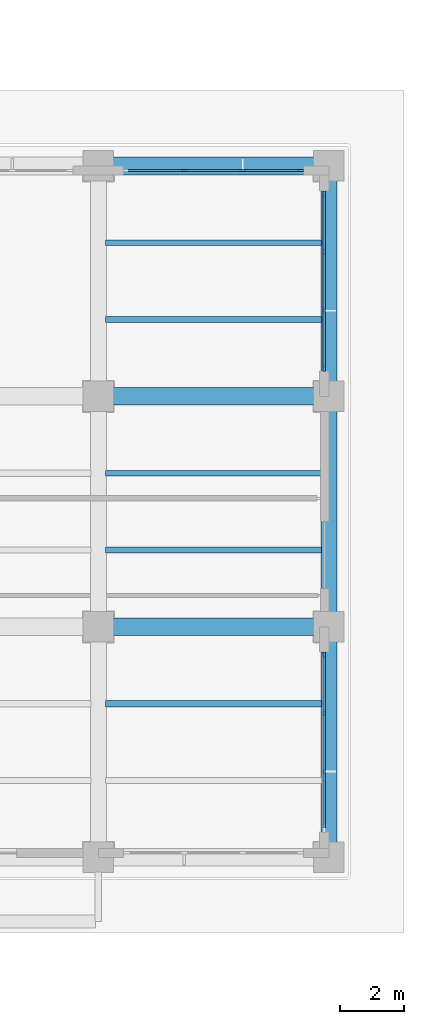
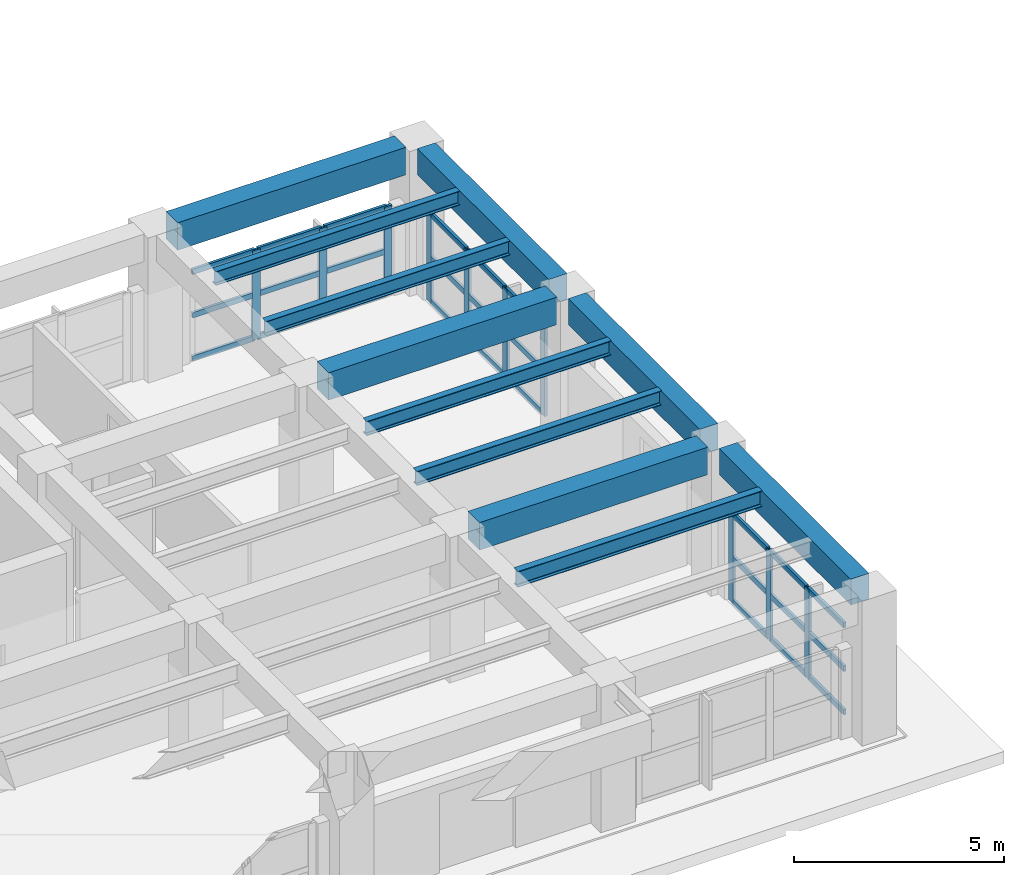
# One storey, part 28 of 64: 37 members, 11 beams, 3 elements without a shape of their own.
"""IFC4 building model written with IfcOpenShell, lengths in metres."""

from ifc_helpers import new_model, si_unit, direction, frame, origin, origin_2d, place, context, subcontext, project, spatial, rectangle, i_section, extrude, material, layer, layer_set, material_profile, profile_set, type_object, element, aggregate, save


model = new_model("IFC4")

# Units and contexts
model_context = context("Model", 3, precision=1e-05, world=origin(), true_north=direction((0.0, 1.0)))
body_context = subcontext(model_context, "Body", "Model", "MODEL_VIEW")
ifc_project = project(units=[si_unit("LENGTHUNIT", "METRE"), si_unit("AREAUNIT", "SQUARE_METRE"), si_unit("VOLUMEUNIT", "CUBIC_METRE"), si_unit("PLANEANGLEUNIT", "RADIAN"), si_unit("MASSUNIT", "GRAM", prefix="KILO")], contexts=[model_context])

# Site, building, storey
site_placement = place(None, origin())
site = spatial("IfcSite", under=ifc_project, at=site_placement, CompositionType="ELEMENT")
building_placement = place(site_placement, origin())
building = spatial("IfcBuilding", under=site, at=building_placement, Name="Solenvale Faculty of Natural Sciences", CompositionType="ELEMENT")
storey_placement = place(building_placement, origin())
storey = spatial("IfcBuildingStorey", under=building, at=storey_placement, Name="L00", CompositionType="ELEMENT", Elevation=0.0)

# Beams
ifc_material_1 = material(Name="Concrete 40 MPa", Category="concrete")
ifc_material_profile_1 = material_profile(ifc_material_1, rectangle(XDim=0.5, YDim=0.75, at=origin_2d()), Name="RC-BM-500x750")
ifc_profile_set_1 = profile_set([ifc_material_profile_1], Name="Concrete 40 MPa")
beam_type_1 = type_object("IfcBeamType", Name="BM-RC-500x750", PredefinedType="BEAM", material=ifc_profile_set_1)
for number, where, z_axis, x_axis, name in (
    (1, (165.60009765625, 36.455078125, 3.844970703125), (0.0, 1.0, 0.0), (-1.0, 0.0, 0.0), "L00 Y-Girder X165.6 (36.0..43.2)"),
    (2, (165.60009765625, 43.655029296875, 3.844970703125), (0.0, 1.0, 0.0), (-1.0, 0.0, 0.0), "L00 Y-Girder X165.6 (43.2..50.4)"),
    (3, (165.60009765625, 50.85498046875, 3.844970703125), (0.0, 1.0, 0.0), (-1.0, 0.0, 0.0), "L00 Y-Girder X165.6 (50.4..57.6)"),
):
    element("IfcBeam", number, at=place(storey_placement, frame(where, z_axis=z_axis, x_axis=x_axis)), inside=storey, type_object=beam_type_1, Name=name, PredefinedType="BEAM", context=body_context, shape_type="SweptSolid", body=[
        extrude(rectangle(XDim=0.5, YDim=0.75, at=origin_2d()), origin(), (0.0, 0.0, 1.0), 6.2900390625),
    ])
ifc_material_profile_2 = material_profile(ifc_material_1, rectangle(XDim=0.550048828125, YDim=0.800048828125, at=origin_2d()), Name="RC-BM-550x800")
ifc_profile_set_2 = profile_set([ifc_material_profile_2], Name="Concrete 40 MPa")
beam_type_2 = type_object("IfcBeamType", Name="BM-RC-550x800", PredefinedType="BEAM", material=ifc_profile_set_2)
for number, where, z_axis, x_axis, name in (
    (4, (158.85498046875, 43.199951171875, 3.820068359375), (1.0, 0.0, 0.0), (0.0, 1.0, 0.0), "L00 X-Girder Y43.2 (158.4..165.6)"),
    (5, (158.85498046875, 50.39990234375, 3.820068359375), (1.0, 0.0, 0.0), (0.0, 1.0, 0.0), "L00 X-Girder Y50.4 (158.4..165.6)"),
    (6, (158.85498046875, 57.60009765625, 3.820068359375), (1.0, 0.0, 0.0), (0.0, 1.0, 0.0), "L00 X-Girder Y57.6 (158.4..165.6)"),
):
    element("IfcBeam", number, at=place(storey_placement, frame(where, z_axis=z_axis, x_axis=x_axis)), inside=storey, type_object=beam_type_2, Name=name, PredefinedType="BEAM", context=body_context, shape_type="SweptSolid", body=[
        extrude(rectangle(XDim=0.550048828125, YDim=0.800048828125, at=origin_2d()), origin(), (0.0, 0.0, 1.0), 6.2900390625),
    ])
ifc_material_2 = material(Name="Steel S355", Category="steel")
ifc_material_profile_3 = material_profile(ifc_material_2, i_section(OverallWidth=0.178955078125, OverallDepth=0.409912109375, WebThickness=0.0087890625, FlangeThickness=0.014404296875, FilletRadius=0.01611328125, at=origin_2d()), Name="W410x67")
ifc_profile_set_3 = profile_set([ifc_material_profile_3], Name="Steel S355")
beam_type_3 = type_object("IfcBeamType", Name="BM-STL-W410x67", PredefinedType="JOIST", material=ifc_profile_set_3)
for number, where, z_axis, x_axis, name in (
    (7, (158.6298828125, 52.800048828125, 4.014892578125), (1.0, 0.0, 0.0), (0.0, 1.0, 0.0), "L00 Composite Floor Joist (23,8).1"),
    (8, (158.6298828125, 55.199951171875, 4.014892578125), (1.0, 0.0, 0.0), (0.0, 1.0, 0.0), "L00 Composite Floor Joist (23,8).2"),
):
    element("IfcBeam", number, at=place(storey_placement, frame(where, z_axis=z_axis, x_axis=x_axis)), inside=storey, type_object=beam_type_3, Name=name, PredefinedType="JOIST", context=body_context, shape_type="SweptSolid", body=[
        extrude(i_section(OverallWidth=0.178955078125, OverallDepth=0.409912109375, WebThickness=0.0087890625, FlangeThickness=0.014404296875, FilletRadius=0.01611328125, at=origin_2d()), origin(), (0.0, 0.0, 1.0), 6.740234375),
    ])
ifc_material_profile_4 = material_profile(ifc_material_2, i_section(OverallWidth=0.180908203125, OverallDepth=0.4169921875, WebThickness=0.010986328125, FlangeThickness=0.018310546875, FilletRadius=0.01611328125, at=origin_2d()), Name="W410x85")
ifc_profile_set_4 = profile_set([ifc_material_profile_4], Name="Steel S355")
beam_type_4 = type_object("IfcBeamType", Name="BM-STL-W410x85", PredefinedType="JOIST", material=ifc_profile_set_4)
for number, where, z_axis, x_axis, name in (
    (9, (158.6298828125, 45.60009765625, 4.011474609375), (1.0, 0.0, 0.0), (0.0, 1.0, 0.0), "L00 Composite Floor Joist (23,7).1"),
    (10, (158.6298828125, 48.0, 4.011474609375), (1.0, 0.0, 0.0), (0.0, 1.0, 0.0), "L00 Composite Floor Joist (23,7).2"),
):
    element("IfcBeam", number, at=place(storey_placement, frame(where, z_axis=z_axis, x_axis=x_axis)), inside=storey, type_object=beam_type_4, Name=name, PredefinedType="JOIST", context=body_context, shape_type="SweptSolid", body=[
        extrude(i_section(OverallWidth=0.180908203125, OverallDepth=0.4169921875, WebThickness=0.010986328125, FlangeThickness=0.018310546875, FilletRadius=0.01611328125, at=origin_2d()), origin(), (0.0, 0.0, 1.0), 6.740234375),
    ])
ifc_material_profile_5 = material_profile(ifc_material_2, i_section(OverallWidth=0.19091796875, OverallDepth=0.4599609375, WebThickness=0.010009765625, FlangeThickness=0.01611328125, FilletRadius=0.01806640625, at=origin_2d()), Name="W460x82")
ifc_profile_set_5 = profile_set([ifc_material_profile_5], Name="Steel S355")
beam_type_5 = type_object("IfcBeamType", Name="BM-STL-W460x82", PredefinedType="JOIST", material=ifc_profile_set_5)
beam_placement = place(storey_placement, frame((158.6298828125, 40.800048828125, 3.989990234375), z_axis=(1.0, 0.0, 0.0), x_axis=(0.0, 1.0, 0.0)))
element("IfcBeam", 11, at=beam_placement, inside=storey, type_object=beam_type_5, Name="L00 Composite Floor Joist (23,6).2", PredefinedType="JOIST", context=body_context, shape_type="SweptSolid", body=[
    extrude(i_section(OverallWidth=0.19091796875, OverallDepth=0.4599609375, WebThickness=0.010009765625, FlangeThickness=0.01611328125, FilletRadius=0.01806640625, at=origin_2d()), origin(), (0.0, 0.0, 1.0), 6.740234375),
])

# Curtain wall, members
ifc_material_3 = material(Name="Anodised bronze aluminium", Category="aluminium")
ifc_layer = layer(ifc_material_3, 0.199951171875)
ifc_layer_set = layer_set([ifc_layer], Name="Anodised bronze aluminium")
curtain_wall_type = type_object("IfcCurtainWallType", Name="CW-COM-FIN", PredefinedType="USERDEFINED", material=ifc_layer_set)
curtain_wall_1_placement = place(storey_placement, origin())
curtain_wall_1 = element("IfcCurtainWall", 12, at=curtain_wall_1_placement, inside=storey, type_object=curtain_wall_type, Name="L00 Curtain Wall CW-L00-P1-E6-B1", ObjectType="UNITISED CURTAIN WALL", PredefinedType="USERDEFINED")
ifc_material_profile_6 = material_profile(ifc_material_3, rectangle(XDim=0.074951171875, YDim=0.2099609375, at=origin_2d()), Name="ALU-MUL-75x210")
ifc_profile_set_6 = profile_set([ifc_material_profile_6], Name="Anodised bronze aluminium")
member_type_1 = type_object("IfcMemberType", Name="CWM-ALU-75x210", PredefinedType="MULLION", material=ifc_profile_set_6)
member_1_placement = place(storey_placement, frame((165.45751953125, 38.683349609375, 0.0), z_axis=(0.0, 0.0, 1.0), x_axis=(-1.0, 0.0, 0.0)))
member_1 = element("IfcMember", 13, at=member_1_placement, type_object=member_type_1, Name="CW-03 mullion 2", PredefinedType="MULLION", context=body_context, shape_type="SweptSolid", body=[
    extrude(rectangle(XDim=0.074951171875, YDim=0.2099609375, at=origin_2d()), origin(), (0.0, 0.0, 1.0), 2.60009765625),
])
member_2_placement = place(storey_placement, frame((165.45751953125, 40.5166015625, 0.0), z_axis=(0.0, 0.0, 1.0), x_axis=(-1.0, 0.0, 0.0)))
member_2 = element("IfcMember", 14, at=member_2_placement, type_object=member_type_1, Name="CW-03 mullion 3", PredefinedType="MULLION", context=body_context, shape_type="SweptSolid", body=[
    extrude(rectangle(XDim=0.074951171875, YDim=0.2099609375, at=origin_2d()), origin(), (0.0, 0.0, 1.0), 2.60009765625),
])
member_3_placement = place(storey_placement, frame((165.45751953125, 42.3125, 0.0), z_axis=(0.0, 0.0, 1.0), x_axis=(-1.0, 0.0, 0.0)))
member_3 = element("IfcMember", 15, at=member_3_placement, type_object=member_type_1, Name="CW-03 mullion 4", PredefinedType="MULLION", context=body_context, shape_type="SweptSolid", body=[
    extrude(rectangle(XDim=0.074951171875, YDim=0.2099609375, at=origin_2d()), origin(), (0.0, 0.0, 1.0), 2.60009765625),
])

curtain_wall_2_placement = place(storey_placement, origin())
curtain_wall_2 = element("IfcCurtainWall", 16, at=curtain_wall_2_placement, inside=storey, type_object=curtain_wall_type, Name="L00 Curtain Wall CW-L00-P1-E6-B3", ObjectType="UNITISED CURTAIN WALL", PredefinedType="USERDEFINED")
member_4_placement = place(storey_placement, frame((165.45751953125, 51.28759765625, 0.0), z_axis=(0.0, 0.0, 1.0), x_axis=(-1.0, 0.0, 0.0)))
member_4 = element("IfcMember", 17, at=member_4_placement, type_object=member_type_1, Name="CW-03 mullion 1", PredefinedType="MULLION", context=body_context, shape_type="SweptSolid", body=[
    extrude(rectangle(XDim=0.074951171875, YDim=0.2099609375, at=origin_2d()), origin(), (0.0, 0.0, 1.0), 2.60009765625),
])
member_5_placement = place(storey_placement, frame((165.45751953125, 53.083251953125, 0.0), z_axis=(0.0, 0.0, 1.0), x_axis=(-1.0, 0.0, 0.0)))
member_5 = element("IfcMember", 18, at=member_5_placement, type_object=member_type_1, Name="CW-03 mullion 2", PredefinedType="MULLION", context=body_context, shape_type="SweptSolid", body=[
    extrude(rectangle(XDim=0.074951171875, YDim=0.2099609375, at=origin_2d()), origin(), (0.0, 0.0, 1.0), 2.60009765625),
])
member_6_placement = place(storey_placement, frame((165.45751953125, 54.916748046875, 0.0), z_axis=(0.0, 0.0, 1.0), x_axis=(-1.0, 0.0, 0.0)))
member_6 = element("IfcMember", 19, at=member_6_placement, type_object=member_type_1, Name="CW-03 mullion 3", PredefinedType="MULLION", context=body_context, shape_type="SweptSolid", body=[
    extrude(rectangle(XDim=0.074951171875, YDim=0.2099609375, at=origin_2d()), origin(), (0.0, 0.0, 1.0), 2.60009765625),
])
member_7_placement = place(storey_placement, frame((165.45751953125, 56.71240234375, 0.0), z_axis=(0.0, 0.0, 1.0), x_axis=(-1.0, 0.0, 0.0)))
member_7 = element("IfcMember", 20, at=member_7_placement, type_object=member_type_1, Name="CW-03 mullion 4", PredefinedType="MULLION", context=body_context, shape_type="SweptSolid", body=[
    extrude(rectangle(XDim=0.074951171875, YDim=0.2099609375, at=origin_2d()), origin(), (0.0, 0.0, 1.0), 2.60009765625),
])

curtain_wall_3_placement = place(storey_placement, origin())
curtain_wall_3 = element("IfcCurtainWall", 21, at=curtain_wall_3_placement, inside=storey, type_object=curtain_wall_type, Name="L00 Curtain Wall CW-L00-P1-E7-B1", ObjectType="UNITISED CURTAIN WALL", PredefinedType="USERDEFINED")
member_8_placement = place(storey_placement, frame((164.71240234375, 57.45751953125, 0.0), z_axis=(0.0, 0.0, 1.0), x_axis=(0.0, -1.0, 0.0)))
member_8 = element("IfcMember", 22, at=member_8_placement, type_object=member_type_1, Name="CW-03 mullion 1", PredefinedType="MULLION", context=body_context, shape_type="SweptSolid", body=[
    extrude(rectangle(XDim=0.074951171875, YDim=0.2099609375, at=origin_2d()), origin(), (0.0, 0.0, 1.0), 2.60009765625),
])
member_9_placement = place(storey_placement, frame((162.916748046875, 57.45751953125, 0.0), z_axis=(0.0, 0.0, 1.0), x_axis=(0.0, -1.0, 0.0)))
member_9 = element("IfcMember", 23, at=member_9_placement, type_object=member_type_1, Name="CW-03 mullion 2", PredefinedType="MULLION", context=body_context, shape_type="SweptSolid", body=[
    extrude(rectangle(XDim=0.074951171875, YDim=0.2099609375, at=origin_2d()), origin(), (0.0, 0.0, 1.0), 2.60009765625),
])
member_10_placement = place(storey_placement, frame((161.083251953125, 57.45751953125, 0.0), z_axis=(0.0, 0.0, 1.0), x_axis=(0.0, -1.0, 0.0)))
member_10 = element("IfcMember", 24, at=member_10_placement, type_object=member_type_1, Name="CW-03 mullion 3", PredefinedType="MULLION", context=body_context, shape_type="SweptSolid", body=[
    extrude(rectangle(XDim=0.074951171875, YDim=0.2099609375, at=origin_2d()), origin(), (0.0, 0.0, 1.0), 2.60009765625),
])

# Member
ifc_material_profile_7 = material_profile(ifc_material_3, rectangle(XDim=0.074951171875, YDim=0.155029296875, at=origin_2d()), Name="ALU-TRN-75x155")
ifc_profile_set_7 = profile_set([ifc_material_profile_7], Name="Anodised bronze aluminium")
member_type_2 = type_object("IfcMemberType", Name="CWT-ALU-75x155", PredefinedType="USERDEFINED", material=ifc_profile_set_7)
member_11_placement = place(storey_placement, frame((165.45751953125, 36.925048828125, 0.03759765625), z_axis=(0.0, 1.0, 0.0), x_axis=(-1.0, 0.0, 0.0)))
member_11 = element("IfcMember", 25, at=member_11_placement, type_object=member_type_2, Name="CW-03 transom 1.1", ObjectType="TRANSOM", PredefinedType="USERDEFINED", context=body_context, shape_type="SweptSolid", body=[
    extrude(rectangle(XDim=0.074951171875, YDim=0.155029296875, at=origin_2d()), origin(), (0.0, 0.0, 1.0), 1.720703125),
])

member_12_placement = place(storey_placement, frame((165.45751953125, 36.925048828125, 1.300048828125), z_axis=(0.0, 1.0, 0.0), x_axis=(-1.0, 0.0, 0.0)))
member_12 = element("IfcMember", 26, at=member_12_placement, type_object=member_type_2, Name="CW-03 transom 1.2", ObjectType="TRANSOM", PredefinedType="USERDEFINED", context=body_context, shape_type="SweptSolid", body=[
    extrude(rectangle(XDim=0.074951171875, YDim=0.155029296875, at=origin_2d()), origin(), (0.0, 0.0, 1.0), 1.720703125),
])

member_13_placement = place(storey_placement, frame((165.45751953125, 36.925048828125, 2.5625), z_axis=(0.0, 1.0, 0.0), x_axis=(-1.0, 0.0, 0.0)))
member_13 = element("IfcMember", 27, at=member_13_placement, type_object=member_type_2, Name="CW-03 transom 1.3", ObjectType="TRANSOM", PredefinedType="USERDEFINED", context=body_context, shape_type="SweptSolid", body=[
    extrude(rectangle(XDim=0.074951171875, YDim=0.155029296875, at=origin_2d()), origin(), (0.0, 0.0, 1.0), 1.720703125),
])

member_14_placement = place(storey_placement, frame((165.45751953125, 38.720947265625, 0.03759765625), z_axis=(0.0, 1.0, 0.0), x_axis=(-1.0, 0.0, 0.0)))
member_14 = element("IfcMember", 28, at=member_14_placement, type_object=member_type_2, Name="CW-03 transom 2.1", ObjectType="TRANSOM", PredefinedType="USERDEFINED", context=body_context, shape_type="SweptSolid", body=[
    extrude(rectangle(XDim=0.074951171875, YDim=0.155029296875, at=origin_2d()), origin(), (0.0, 0.0, 1.0), 1.75830078125),
])

member_15_placement = place(storey_placement, frame((165.45751953125, 38.720947265625, 1.300048828125), z_axis=(0.0, 1.0, 0.0), x_axis=(-1.0, 0.0, 0.0)))
member_15 = element("IfcMember", 29, at=member_15_placement, type_object=member_type_2, Name="CW-03 transom 2.2", ObjectType="TRANSOM", PredefinedType="USERDEFINED", context=body_context, shape_type="SweptSolid", body=[
    extrude(rectangle(XDim=0.074951171875, YDim=0.155029296875, at=origin_2d()), origin(), (0.0, 0.0, 1.0), 1.75830078125),
])

member_16_placement = place(storey_placement, frame((165.45751953125, 38.720947265625, 2.5625), z_axis=(0.0, 1.0, 0.0), x_axis=(-1.0, 0.0, 0.0)))
member_16 = element("IfcMember", 30, at=member_16_placement, type_object=member_type_2, Name="CW-03 transom 2.3", ObjectType="TRANSOM", PredefinedType="USERDEFINED", context=body_context, shape_type="SweptSolid", body=[
    extrude(rectangle(XDim=0.074951171875, YDim=0.155029296875, at=origin_2d()), origin(), (0.0, 0.0, 1.0), 1.75830078125),
])

member_17_placement = place(storey_placement, frame((165.45751953125, 40.55419921875, 0.03759765625), z_axis=(0.0, 1.0, 0.0), x_axis=(-1.0, 0.0, 0.0)))
member_17 = element("IfcMember", 31, at=member_17_placement, type_object=member_type_2, Name="CW-03 transom 3.1", ObjectType="TRANSOM", PredefinedType="USERDEFINED", context=body_context, shape_type="SweptSolid", body=[
    extrude(rectangle(XDim=0.074951171875, YDim=0.155029296875, at=origin_2d()), origin(), (0.0, 0.0, 1.0), 1.720703125),
])

member_18_placement = place(storey_placement, frame((165.45751953125, 40.55419921875, 1.300048828125), z_axis=(0.0, 1.0, 0.0), x_axis=(-1.0, 0.0, 0.0)))
member_18 = element("IfcMember", 32, at=member_18_placement, type_object=member_type_2, Name="CW-03 transom 3.2", ObjectType="TRANSOM", PredefinedType="USERDEFINED", context=body_context, shape_type="SweptSolid", body=[
    extrude(rectangle(XDim=0.074951171875, YDim=0.155029296875, at=origin_2d()), origin(), (0.0, 0.0, 1.0), 1.720703125),
])

member_19_placement = place(storey_placement, frame((165.45751953125, 40.55419921875, 2.5625), z_axis=(0.0, 1.0, 0.0), x_axis=(-1.0, 0.0, 0.0)))
member_19 = element("IfcMember", 33, at=member_19_placement, type_object=member_type_2, Name="CW-03 transom 3.3", ObjectType="TRANSOM", PredefinedType="USERDEFINED", context=body_context, shape_type="SweptSolid", body=[
    extrude(rectangle(XDim=0.074951171875, YDim=0.155029296875, at=origin_2d()), origin(), (0.0, 0.0, 1.0), 1.720703125),
])

aggregate(curtain_wall_1, [member_1, member_2, member_3, member_11, member_12, member_13, member_14, member_15, member_16, member_17, member_18, member_19])

member_20_placement = place(storey_placement, frame((165.45751953125, 51.324951171875, 0.03759765625), z_axis=(0.0, 1.0, 0.0), x_axis=(-1.0, 0.0, 0.0)))
member_20 = element("IfcMember", 34, at=member_20_placement, type_object=member_type_2, Name="CW-03 transom 1.1", ObjectType="TRANSOM", PredefinedType="USERDEFINED", context=body_context, shape_type="SweptSolid", body=[
    extrude(rectangle(XDim=0.074951171875, YDim=0.155029296875, at=origin_2d()), origin(), (0.0, 0.0, 1.0), 1.720947265625),
])

member_21_placement = place(storey_placement, frame((165.45751953125, 51.324951171875, 1.300048828125), z_axis=(0.0, 1.0, 0.0), x_axis=(-1.0, 0.0, 0.0)))
member_21 = element("IfcMember", 35, at=member_21_placement, type_object=member_type_2, Name="CW-03 transom 1.2", ObjectType="TRANSOM", PredefinedType="USERDEFINED", context=body_context, shape_type="SweptSolid", body=[
    extrude(rectangle(XDim=0.074951171875, YDim=0.155029296875, at=origin_2d()), origin(), (0.0, 0.0, 1.0), 1.720947265625),
])

member_22_placement = place(storey_placement, frame((165.45751953125, 51.324951171875, 2.5625), z_axis=(0.0, 1.0, 0.0), x_axis=(-1.0, 0.0, 0.0)))
member_22 = element("IfcMember", 36, at=member_22_placement, type_object=member_type_2, Name="CW-03 transom 1.3", ObjectType="TRANSOM", PredefinedType="USERDEFINED", context=body_context, shape_type="SweptSolid", body=[
    extrude(rectangle(XDim=0.074951171875, YDim=0.155029296875, at=origin_2d()), origin(), (0.0, 0.0, 1.0), 1.720947265625),
])

member_23_placement = place(storey_placement, frame((165.45751953125, 53.120849609375, 0.03759765625), z_axis=(0.0, 1.0, 0.0), x_axis=(-1.0, 0.0, 0.0)))
member_23 = element("IfcMember", 37, at=member_23_placement, type_object=member_type_2, Name="CW-03 transom 2.1", ObjectType="TRANSOM", PredefinedType="USERDEFINED", context=body_context, shape_type="SweptSolid", body=[
    extrude(rectangle(XDim=0.074951171875, YDim=0.155029296875, at=origin_2d()), origin(), (0.0, 0.0, 1.0), 1.75830078125),
])

member_24_placement = place(storey_placement, frame((165.45751953125, 53.120849609375, 1.300048828125), z_axis=(0.0, 1.0, 0.0), x_axis=(-1.0, 0.0, 0.0)))
member_24 = element("IfcMember", 38, at=member_24_placement, type_object=member_type_2, Name="CW-03 transom 2.2", ObjectType="TRANSOM", PredefinedType="USERDEFINED", context=body_context, shape_type="SweptSolid", body=[
    extrude(rectangle(XDim=0.074951171875, YDim=0.155029296875, at=origin_2d()), origin(), (0.0, 0.0, 1.0), 1.75830078125),
])

member_25_placement = place(storey_placement, frame((165.45751953125, 53.120849609375, 2.5625), z_axis=(0.0, 1.0, 0.0), x_axis=(-1.0, 0.0, 0.0)))
member_25 = element("IfcMember", 39, at=member_25_placement, type_object=member_type_2, Name="CW-03 transom 2.3", ObjectType="TRANSOM", PredefinedType="USERDEFINED", context=body_context, shape_type="SweptSolid", body=[
    extrude(rectangle(XDim=0.074951171875, YDim=0.155029296875, at=origin_2d()), origin(), (0.0, 0.0, 1.0), 1.75830078125),
])

member_26_placement = place(storey_placement, frame((165.45751953125, 54.9541015625, 0.03759765625), z_axis=(0.0, 1.0, 0.0), x_axis=(-1.0, 0.0, 0.0)))
member_26 = element("IfcMember", 40, at=member_26_placement, type_object=member_type_2, Name="CW-03 transom 3.1", ObjectType="TRANSOM", PredefinedType="USERDEFINED", context=body_context, shape_type="SweptSolid", body=[
    extrude(rectangle(XDim=0.074951171875, YDim=0.155029296875, at=origin_2d()), origin(), (0.0, 0.0, 1.0), 1.720947265625),
])

member_27_placement = place(storey_placement, frame((165.45751953125, 54.9541015625, 1.300048828125), z_axis=(0.0, 1.0, 0.0), x_axis=(-1.0, 0.0, 0.0)))
member_27 = element("IfcMember", 41, at=member_27_placement, type_object=member_type_2, Name="CW-03 transom 3.2", ObjectType="TRANSOM", PredefinedType="USERDEFINED", context=body_context, shape_type="SweptSolid", body=[
    extrude(rectangle(XDim=0.074951171875, YDim=0.155029296875, at=origin_2d()), origin(), (0.0, 0.0, 1.0), 1.720947265625),
])

member_28_placement = place(storey_placement, frame((165.45751953125, 54.9541015625, 2.5625), z_axis=(0.0, 1.0, 0.0), x_axis=(-1.0, 0.0, 0.0)))
member_28 = element("IfcMember", 42, at=member_28_placement, type_object=member_type_2, Name="CW-03 transom 3.3", ObjectType="TRANSOM", PredefinedType="USERDEFINED", context=body_context, shape_type="SweptSolid", body=[
    extrude(rectangle(XDim=0.074951171875, YDim=0.155029296875, at=origin_2d()), origin(), (0.0, 0.0, 1.0), 1.720947265625),
])

aggregate(curtain_wall_2, [member_4, member_5, member_6, member_7, member_20, member_21, member_22, member_23, member_24, member_25, member_26, member_27, member_28])

member_29_placement = place(storey_placement, frame((164.675048828125, 57.45751953125, 0.03759765625), z_axis=(-1.0, 0.0, 0.0), x_axis=(0.0, -1.0, 0.0)))
member_29 = element("IfcMember", 43, at=member_29_placement, type_object=member_type_2, Name="CW-03 transom 1.1", ObjectType="TRANSOM", PredefinedType="USERDEFINED", context=body_context, shape_type="SweptSolid", body=[
    extrude(rectangle(XDim=0.074951171875, YDim=0.155029296875, at=origin_2d()), origin(), (0.0, 0.0, 1.0), 1.720947265625),
])

member_30_placement = place(storey_placement, frame((164.675048828125, 57.45751953125, 1.300048828125), z_axis=(-1.0, 0.0, 0.0), x_axis=(0.0, -1.0, 0.0)))
member_30 = element("IfcMember", 44, at=member_30_placement, type_object=member_type_2, Name="CW-03 transom 1.2", ObjectType="TRANSOM", PredefinedType="USERDEFINED", context=body_context, shape_type="SweptSolid", body=[
    extrude(rectangle(XDim=0.074951171875, YDim=0.155029296875, at=origin_2d()), origin(), (0.0, 0.0, 1.0), 1.720947265625),
])

member_31_placement = place(storey_placement, frame((164.675048828125, 57.45751953125, 2.5625), z_axis=(-1.0, 0.0, 0.0), x_axis=(0.0, -1.0, 0.0)))
member_31 = element("IfcMember", 45, at=member_31_placement, type_object=member_type_2, Name="CW-03 transom 1.3", ObjectType="TRANSOM", PredefinedType="USERDEFINED", context=body_context, shape_type="SweptSolid", body=[
    extrude(rectangle(XDim=0.074951171875, YDim=0.155029296875, at=origin_2d()), origin(), (0.0, 0.0, 1.0), 1.720947265625),
])

member_32_placement = place(storey_placement, frame((162.879150390625, 57.45751953125, 0.03759765625), z_axis=(-1.0, 0.0, 0.0), x_axis=(0.0, -1.0, 0.0)))
member_32 = element("IfcMember", 46, at=member_32_placement, type_object=member_type_2, Name="CW-03 transom 2.1", ObjectType="TRANSOM", PredefinedType="USERDEFINED", context=body_context, shape_type="SweptSolid", body=[
    extrude(rectangle(XDim=0.074951171875, YDim=0.155029296875, at=origin_2d()), origin(), (0.0, 0.0, 1.0), 1.75830078125),
])

member_33_placement = place(storey_placement, frame((162.879150390625, 57.45751953125, 1.300048828125), z_axis=(-1.0, 0.0, 0.0), x_axis=(0.0, -1.0, 0.0)))
member_33 = element("IfcMember", 47, at=member_33_placement, type_object=member_type_2, Name="CW-03 transom 2.2", ObjectType="TRANSOM", PredefinedType="USERDEFINED", context=body_context, shape_type="SweptSolid", body=[
    extrude(rectangle(XDim=0.074951171875, YDim=0.155029296875, at=origin_2d()), origin(), (0.0, 0.0, 1.0), 1.75830078125),
])

member_34_placement = place(storey_placement, frame((162.879150390625, 57.45751953125, 2.5625), z_axis=(-1.0, 0.0, 0.0), x_axis=(0.0, -1.0, 0.0)))
member_34 = element("IfcMember", 48, at=member_34_placement, type_object=member_type_2, Name="CW-03 transom 2.3", ObjectType="TRANSOM", PredefinedType="USERDEFINED", context=body_context, shape_type="SweptSolid", body=[
    extrude(rectangle(XDim=0.074951171875, YDim=0.155029296875, at=origin_2d()), origin(), (0.0, 0.0, 1.0), 1.75830078125),
])

member_35_placement = place(storey_placement, frame((161.0458984375, 57.45751953125, 0.03759765625), z_axis=(-1.0, 0.0, 0.0), x_axis=(0.0, -1.0, 0.0)))
member_35 = element("IfcMember", 49, at=member_35_placement, type_object=member_type_2, Name="CW-03 transom 3.1", ObjectType="TRANSOM", PredefinedType="USERDEFINED", context=body_context, shape_type="SweptSolid", body=[
    extrude(rectangle(XDim=0.074951171875, YDim=0.155029296875, at=origin_2d()), origin(), (0.0, 0.0, 1.0), 1.720947265625),
])

member_36_placement = place(storey_placement, frame((161.0458984375, 57.45751953125, 1.300048828125), z_axis=(-1.0, 0.0, 0.0), x_axis=(0.0, -1.0, 0.0)))
member_36 = element("IfcMember", 50, at=member_36_placement, type_object=member_type_2, Name="CW-03 transom 3.2", ObjectType="TRANSOM", PredefinedType="USERDEFINED", context=body_context, shape_type="SweptSolid", body=[
    extrude(rectangle(XDim=0.074951171875, YDim=0.155029296875, at=origin_2d()), origin(), (0.0, 0.0, 1.0), 1.720947265625),
])

member_37_placement = place(storey_placement, frame((161.0458984375, 57.45751953125, 2.5625), z_axis=(-1.0, 0.0, 0.0), x_axis=(0.0, -1.0, 0.0)))
member_37 = element("IfcMember", 51, at=member_37_placement, type_object=member_type_2, Name="CW-03 transom 3.3", ObjectType="TRANSOM", PredefinedType="USERDEFINED", context=body_context, shape_type="SweptSolid", body=[
    extrude(rectangle(XDim=0.074951171875, YDim=0.155029296875, at=origin_2d()), origin(), (0.0, 0.0, 1.0), 1.720947265625),
])

aggregate(curtain_wall_3, [member_8, member_9, member_10, member_29, member_30, member_31, member_32, member_33, member_34, member_35, member_36, member_37])

save(model, "model.ifc")
